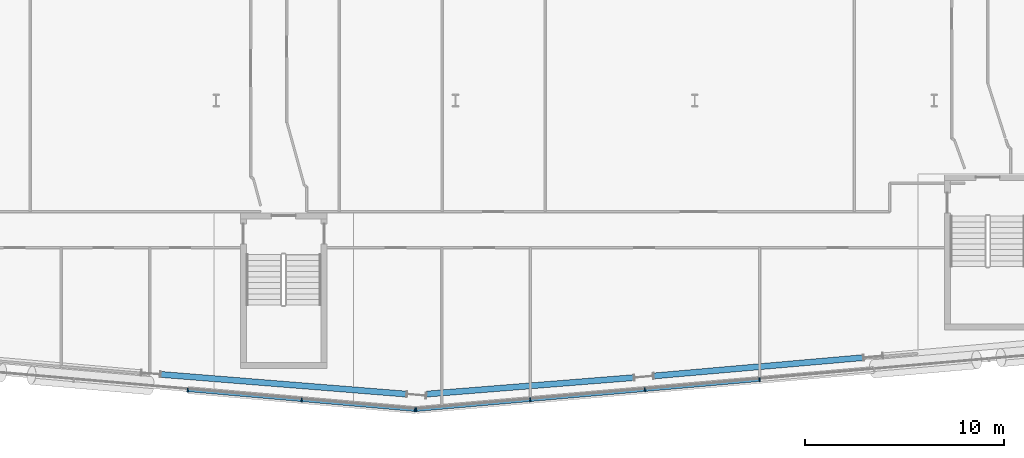
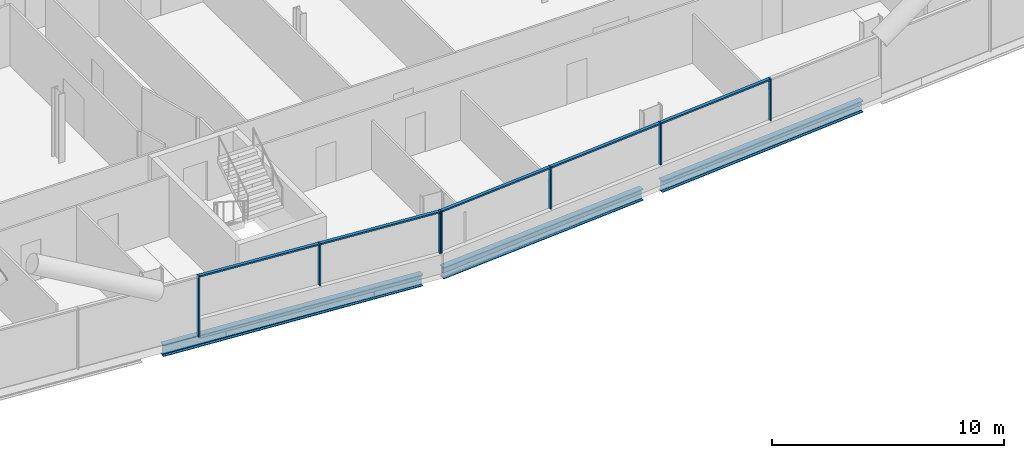
# One storey, part 6 of 28: 12 members, 3 beams, 2 elements without a shape of their own.
"""IFC4 building model written with IfcOpenShell, lengths in metres."""

import ifcopenshell
import ifcopenshell.guid

model = None  # the IFC model being written
_history = None  # IfcOwnerHistory: only IFC2X3 demands one
_inside = {}  # id of a spatial element -> (the spatial element, [elements in it])
_under = {}  # id of a project, library or spatial element -> (it, [spatial elements below it])
_declared = {}  # id of a project -> (the project, [libraries it declares])
_typed = {}  # id of a type object -> (the type object, [elements of that type])
_made_of = {}  # id of a material, layer set ... -> (it, [elements and type objects made of it])


def new_model(schema):
    """Start an empty IFC model of exactly this schema.

    Asked for "IFC4X3", IfcOpenShell would pick the latest addendum, in which some entities
    have other attributes; the version numbers below select the first issue.
    IFC2X3 requires an IfcOwnerHistory on every rooted entity: one is made here for all.
    """
    global model, _history
    if schema == "IFC4X3":
        model = ifcopenshell.file(schema_version=(4, 3, 0, 0))
    else:
        model = ifcopenshell.file(schema=schema)
    _inside.clear()
    _under.clear()
    _declared.clear()
    _typed.clear()
    _made_of.clear()
    _history = None
    if model.schema == "IFC2X3":
        org = make("IfcOrganization", Name="unknown")
        user = make(
            "IfcPersonAndOrganization",
            ThePerson=make("IfcPerson", FamilyName="unknown"),
            TheOrganization=org,
        )
        app = make(
            "IfcApplication",
            ApplicationDeveloper=org,
            Version="unknown",
            ApplicationFullName="unknown",
            ApplicationIdentifier="unknown",
        )
        _history = make(
            "IfcOwnerHistory",
            OwningUser=user,
            OwningApplication=app,
            ChangeAction="ADDED",
            CreationDate=0,
        )
    return model


def make(cls, **values):
    """One entity of the class cls with the attributes given. An attribute that is None is left unset."""
    return model.create_entity(
        cls, **{name: value for name, value in values.items() if value is not None}
    )


def rooted(cls, **values):
    """An entity with a GlobalId (a new one), such as an element, a storey or a relation."""
    return make(cls, GlobalId=ifcopenshell.guid.new(), OwnerHistory=_history, **values)


def si_unit(unit_type, name, prefix=None):
    """IfcSIUnit, for example si_unit("LENGTHUNIT", "METRE", prefix="MILLI")."""
    return make("IfcSIUnit", UnitType=unit_type, Prefix=prefix, Name=name)


def assignment(units):
    """IfcUnitAssignment: the units of a project."""
    return None if units is None else make("IfcUnitAssignment", Units=units)


def point(xyz):
    """IfcCartesianPoint."""
    return None if xyz is None else make("IfcCartesianPoint", Coordinates=xyz)


def direction(xyz):
    """IfcDirection."""
    return None if xyz is None else make("IfcDirection", DirectionRatios=xyz)


def frame(location, z_axis=None, x_axis=None):
    """IfcAxis2Placement3D, a coordinate frame: its origin and axes. An axis left out is left unset."""
    return make(
        "IfcAxis2Placement3D",
        Location=point(location),
        Axis=direction(z_axis),
        RefDirection=direction(x_axis),
    )


def frame_2d(location, x_axis=None):
    """IfcAxis2Placement2D, a coordinate frame in the plane: its origin and x axis."""
    return make(
        "IfcAxis2Placement2D", Location=point(location), RefDirection=direction(x_axis)
    )


def origin():
    """The frame at (0, 0, 0) with its axes left unset."""
    return frame((0.0, 0.0, 0.0))


def origin_2d():
    """The frame at (0, 0) in the plane with its x axis left unset."""
    return frame_2d((0.0, 0.0))


def place(relative_to, where):
    """IfcLocalPlacement: puts the frame where relative to a parent placement (None: the world)."""
    return make(
        "IfcLocalPlacement", PlacementRelTo=relative_to, RelativePlacement=where
    )


def context(
    kind, dimensions, precision=None, world=None, true_north=None, identifier=None
):
    """IfcGeometricRepresentationContext, for example the 3D "Model" context."""
    return make(
        "IfcGeometricRepresentationContext",
        ContextIdentifier=identifier,
        ContextType=kind,
        CoordinateSpaceDimension=dimensions,
        Precision=precision,
        WorldCoordinateSystem=world,
        TrueNorth=true_north,
    )


def subcontext(parent, identifier, kind, view, scale=None):
    """IfcGeometricRepresentationSubContext, for example "Body" below "Model"."""
    return make(
        "IfcGeometricRepresentationSubContext",
        ContextIdentifier=identifier,
        ContextType=kind,
        ParentContext=parent,
        TargetScale=scale,
        TargetView=view,
    )


def project(units=None, contexts=None):
    """IfcProject with its units and contexts."""
    return rooted(
        "IfcProject",
        Name="project",
        RepresentationContexts=contexts,
        UnitsInContext=assignment(units),
    )


def spatial(cls, under=None, at=None, **own):
    """A site, building, storey or space (cls), placed at a placement, below another one or the project."""
    s = rooted(cls, ObjectPlacement=at, **own)
    if under is not None:
        _under.setdefault(under.id(), (under, []))[1].append(s)
    return s


def profile(cls, at=None, kind="AREA", **sizes):
    """A parametric profile (cls). Its sizes go by their IFC names, for example OverallWidth=200.0."""
    return make(cls, ProfileType=kind, Position=at, **sizes)


def rectangle(**sizes):
    """IfcRectangleProfileDef."""
    return profile("IfcRectangleProfileDef", **sizes)


def i_section(**sizes):
    """IfcIShapeProfileDef."""
    return profile("IfcIShapeProfileDef", **sizes)


def extrude(swept, where, along, depth):
    """IfcExtrudedAreaSolid: the profile swept, set in the frame where, extruded along a direction by depth."""
    return make(
        "IfcExtrudedAreaSolid",
        SweptArea=swept,
        Position=where,
        ExtrudedDirection=direction(along),
        Depth=depth,
    )


def shape(context_of_items, identifier, shape_type, items):
    """IfcShapeRepresentation: the items that make up one representation, for example the "Body"."""
    return make(
        "IfcShapeRepresentation",
        ContextOfItems=context_of_items,
        RepresentationIdentifier=identifier,
        RepresentationType=shape_type,
        Items=items,
    )


def material(Name=None, Category=None):
    """IfcMaterial."""
    return make("IfcMaterial", Name=Name, Category=Category)


def material_profile(
    of_material, cross_section, Name=None, Category=None, Priority=None
):
    """IfcMaterialProfile: a cross section and its material."""
    return make(
        "IfcMaterialProfile",
        Name=Name,
        Material=of_material,
        Profile=cross_section,
        Priority=Priority,
        Category=Category,
    )


def profile_set(profiles, Name=None, composite=None):
    """IfcMaterialProfileSet."""
    return make(
        "IfcMaterialProfileSet",
        Name=Name,
        MaterialProfiles=profiles,
        CompositeProfile=composite,
    )


def made_of(thing, what):
    """Note that an element or type object is made of a material, layer set ...; save() writes the relation."""
    if what is not None:
        _made_of.setdefault(what.id(), (what, []))[1].append(thing)
    return thing


def type_object(cls, material=None, **own):
    """A type object (cls), such as IfcWallType, which elements share."""
    return made_of(rooted(cls, **own), material)


def element(
    cls,
    number,
    at=None,
    inside=None,
    cuts=None,
    type_object=None,
    material=None,
    context=None,
    identifier="Body",
    shape_type=None,
    held_by="IfcProductDefinitionShape",
    body=None,
    shapes=None,
    **own,
):
    """One element of the class cls, such as IfcWall. Its Tag is "e" and its number.

    at: its placement. inside: the storey or other place that contains it. cuts: it is an
    opening in that element (IfcRelVoidsElement). A single representation is given by context,
    identifier, shape_type and body (its items); several are given by shapes. held_by: the class
    of the entity that holds the representations. save() writes the other relations.
    """
    e = rooted(cls, Tag="e%d" % number, ObjectPlacement=at, **own)
    if body is not None:
        shapes = [shape(context, identifier, shape_type, body)]
    if shapes is not None:
        e.Representation = make(held_by, Representations=shapes)
    if inside is not None:
        _inside.setdefault(inside.id(), (inside, []))[1].append(e)
    if cuts is not None:
        rooted(
            "IfcRelVoidsElement", RelatingBuildingElement=cuts, RelatedOpeningElement=e
        )
    if type_object is not None:
        _typed.setdefault(type_object.id(), (type_object, []))[1].append(e)
    return made_of(e, material)


def aggregate(whole, parts):
    """IfcRelAggregates: a whole, such as a stair, and the parts it consists of."""
    return rooted("IfcRelAggregates", RelatingObject=whole, RelatedObjects=parts)


def save(model, path):
    """Write the relations noted so far, then the file.

    IfcRelAggregates (storeys below a building ...), IfcRelContainedInSpatialStructure (elements
    in a storey), IfcRelDefinesByType, IfcRelAssociatesMaterial and IfcRelDeclares: one each for
    every whole, place, type object, material and project.
    """
    for whole, parts in _under.values():
        aggregate(whole, parts)
    for where, things in _inside.values():
        rooted(
            "IfcRelContainedInSpatialStructure",
            RelatedElements=things,
            RelatingStructure=where,
        )
    for kind, things in _typed.values():
        rooted("IfcRelDefinesByType", RelatedObjects=things, RelatingType=kind)
    for what, things in _made_of.values():
        rooted("IfcRelAssociatesMaterial", RelatedObjects=things, RelatingMaterial=what)
    for by, libraries in _declared.values():
        rooted("IfcRelDeclares", RelatingContext=by, RelatedDefinitions=libraries)
    model.write(path)


model = new_model("IFC4")

# Units and contexts
model_context = context("Model", 3, precision=1e-05, world=origin(), true_north=direction((0.0, 1.0)))
body_context = subcontext(model_context, "Body", "Model", "MODEL_VIEW")
ifc_project = project(units=[si_unit("LENGTHUNIT", "METRE"), si_unit("AREAUNIT", "SQUARE_METRE"), si_unit("VOLUMEUNIT", "CUBIC_METRE"), si_unit("PLANEANGLEUNIT", "RADIAN"), si_unit("MASSUNIT", "GRAM", prefix="KILO")], contexts=[model_context])

# Site, building, storey
site_placement = place(None, origin())
site = spatial("IfcSite", under=ifc_project, at=site_placement, CompositionType="ELEMENT")
building_placement = place(site_placement, origin())
building = spatial("IfcBuilding", under=site, at=building_placement, Name="Wharfspan Tower", CompositionType="ELEMENT")
storey_placement = place(building_placement, frame((0.0, 0.0, 59.5)))
storey = spatial("IfcBuildingStorey", under=building, at=storey_placement, Name="L11", CompositionType="ELEMENT", Elevation=59.5)

# Beams
ifc_material_1 = material(Name="Steel S355J2", Category="steel")
ifc_material_profile_1 = material_profile(ifc_material_1, i_section(OverallWidth=0.300049, OverallDepth=0.600098, WebThickness=0.015381, FlangeThickness=0.030029, FilletRadius=0.0271, at=origin_2d()))
ifc_profile_set_1 = profile_set([ifc_material_profile_1], Name="Steel S355J2")
beam_type = type_object("IfcBeamType", Name="Edge beam HEB 600", PredefinedType="SPANDREL", material=ifc_profile_set_1)
beam_1_placement = place(storey_placement, frame((33.222656, -2.240479, -0.699951), z_axis=(0.996802, -0.079913, 0.0), x_axis=(0.079913, 0.996802, 0.0)))
element("IfcBeam", 1, at=beam_1_placement, inside=storey, type_object=beam_type, Name="Edge beam S1 L11 PS1.3 to PS1.4", PredefinedType="SPANDREL", context=body_context, shape_type="SweptSolid", body=[
    extrude(i_section(OverallWidth=0.300049, OverallDepth=0.600098, WebThickness=0.015381, FlangeThickness=0.030029, FilletRadius=0.0271, at=origin_2d()), origin(), (0.0, 0.0, 1.0), 12.36084),
])
beam_2_placement = place(storey_placement, frame((46.547852, -3.228027, -0.699951), z_axis=(0.996848, 0.079335, 0.0), x_axis=(-0.079335, 0.996848, 0.0)))
element("IfcBeam", 2, at=beam_2_placement, inside=storey, type_object=beam_type, Name="Edge beam S2 L11 PS1.4 to PS2.1", PredefinedType="SPANDREL", context=body_context, shape_type="SweptSolid", body=[
    extrude(i_section(OverallWidth=0.300049, OverallDepth=0.600098, WebThickness=0.015381, FlangeThickness=0.030029, FilletRadius=0.0271, at=origin_2d()), origin(), (0.0, 0.0, 1.0), 10.429199),
])
beam_3_placement = place(storey_placement, frame((57.940674, -2.317383, -0.699951), z_axis=(0.996195, 0.087155, 0.0), x_axis=(-0.087155, 0.996195, 0.0)))
element("IfcBeam", 3, at=beam_3_placement, inside=storey, type_object=beam_type, Name="Edge beam S2 L11 PS2.1 to PS2.2", PredefinedType="SPANDREL", context=body_context, shape_type="SweptSolid", body=[
    extrude(i_section(OverallWidth=0.300049, OverallDepth=0.600098, WebThickness=0.015381, FlangeThickness=0.030029, FilletRadius=0.0271, at=origin_2d()), origin(), (0.0, 0.0, 1.0), 10.543701),
])

# Curtain wall, members
ifc_material_2 = material(Name="Aluminium 6063-T6", Category="aluminium")
curtain_wall_type = type_object("IfcCurtainWallType", Name="CURTAIN WALL FACETED FRONT", PredefinedType="NOTDEFINED", material=ifc_material_2)
curtain_wall_1_placement = place(storey_placement, origin())
curtain_wall_1 = element("IfcCurtainWall", 4, at=curtain_wall_1_placement, inside=storey, type_object=curtain_wall_type, Name="Curtain wall S1", PredefinedType="NOTDEFINED")
ifc_material_profile_2 = material_profile(ifc_material_2, rectangle(XDim=0.199951, YDim=0.060059, at=origin_2d()))
ifc_profile_set_2 = profile_set([ifc_material_profile_2], Name="Aluminium 6063-T6")
member_type_1 = type_object("IfcMemberType", Name="MULLION FACETED FRONT 60x200", PredefinedType="MULLION", material=ifc_profile_set_2)
member_1_placement = place(storey_placement, frame((34.571533, -3.024658, 0.0), z_axis=(0.0, 0.0, 1.0), x_axis=(0.087156, 0.996197, 0.0)))
member_1 = element("IfcMember", 5, at=member_1_placement, type_object=member_type_1, Name="Curtain wall S1 mullion 6", PredefinedType="MULLION", context=body_context, shape_type="SweptSolid", body=[
    extrude(rectangle(XDim=0.199951, YDim=0.060059, at=origin_2d()), origin(), (0.0, 0.0, 1.0), 3.199951),
])
member_2_placement = place(storey_placement, frame((40.285645, -3.524658, 1.0), z_axis=(0.0, 0.0, 1.0), x_axis=(0.087156, 0.996197, 0.0)))
member_2 = element("IfcMember", 6, at=member_2_placement, type_object=member_type_1, Name="Curtain wall S1 mullion 7", PredefinedType="MULLION", context=body_context, shape_type="SweptSolid", body=[
    extrude(rectangle(XDim=0.199951, YDim=0.060059, at=origin_2d()), origin(), (0.0, 0.0, 1.0), 2.199951),
])
member_3_placement = place(storey_placement, frame((45.970215, -4.021973, 1.0), z_axis=(0.0, 0.0, 1.0), x_axis=(0.087156, 0.996197, 0.0)))
member_3 = element("IfcMember", 7, at=member_3_placement, type_object=member_type_1, Name="Curtain wall S1 mullion 8", PredefinedType="MULLION", context=body_context, shape_type="SweptSolid", body=[
    extrude(rectangle(XDim=0.199951, YDim=0.060059, at=origin_2d()), origin(), (0.0, 0.0, 1.0), 2.199951),
])

curtain_wall_2_placement = place(storey_placement, origin())
curtain_wall_2 = element("IfcCurtainWall", 8, at=curtain_wall_2_placement, inside=storey, type_object=curtain_wall_type, Name="Curtain wall S2", PredefinedType="NOTDEFINED")
member_4_placement = place(storey_placement, frame((46.029785, -4.021973, 1.0), z_axis=(0.0, 0.0, 1.0), x_axis=(-0.087156, 0.996197, 0.0)))
member_4 = element("IfcMember", 9, at=member_4_placement, type_object=member_type_1, Name="Curtain wall S2 mullion 1", PredefinedType="MULLION", context=body_context, shape_type="SweptSolid", body=[
    extrude(rectangle(XDim=0.199951, YDim=0.060059, at=origin_2d()), origin(), (0.0, 0.0, 1.0), 2.199951),
])
member_5_placement = place(storey_placement, frame((51.75, -3.521484, 1.0), z_axis=(0.0, 0.0, 1.0), x_axis=(-0.087156, 0.996197, 0.0)))
member_5 = element("IfcMember", 10, at=member_5_placement, type_object=member_type_1, Name="Curtain wall S2 mullion 2", PredefinedType="MULLION", context=body_context, shape_type="SweptSolid", body=[
    extrude(rectangle(XDim=0.199951, YDim=0.060059, at=origin_2d()), origin(), (0.0, 0.0, 1.0), 2.199951),
])
member_6_placement = place(storey_placement, frame((57.5, -3.018311, 1.0), z_axis=(0.0, 0.0, 1.0), x_axis=(-0.087156, 0.996197, 0.0)))
member_6 = element("IfcMember", 11, at=member_6_placement, type_object=member_type_1, Name="Curtain wall S2 mullion 3", PredefinedType="MULLION", context=body_context, shape_type="SweptSolid", body=[
    extrude(rectangle(XDim=0.199951, YDim=0.060059, at=origin_2d()), origin(), (0.0, 0.0, 1.0), 2.199951),
])
member_7_placement = place(storey_placement, frame((63.25, -2.515381, 1.0), z_axis=(0.0, 0.0, 1.0), x_axis=(-0.087156, 0.996197, 0.0)))
member_7 = element("IfcMember", 12, at=member_7_placement, type_object=member_type_1, Name="Curtain wall S2 mullion 4", PredefinedType="MULLION", context=body_context, shape_type="SweptSolid", body=[
    extrude(rectangle(XDim=0.199951, YDim=0.060059, at=origin_2d()), origin(), (0.0, 0.0, 1.0), 2.199951),
])

# Member
ifc_material_profile_3 = material_profile(ifc_material_2, rectangle(XDim=0.159912, YDim=0.080078, at=origin_2d()))
ifc_profile_set_3 = profile_set([ifc_material_profile_3], Name="Aluminium 6063-T6")
member_type_2 = type_object("IfcMemberType", Name="TRANSOM FACETED FRONT 80x160", PredefinedType="USERDEFINED", material=ifc_profile_set_3)
member_8_placement = place(storey_placement, frame((34.601318, -3.027344, 3.159912), z_axis=(0.996196, -0.087142, 0.0), x_axis=(0.087142, 0.996196, 0.0)))
member_8 = element("IfcMember", 13, at=member_8_placement, type_object=member_type_2, Name="Curtain wall S1 transom 6", ObjectType="TRANSOM", PredefinedType="USERDEFINED", context=body_context, shape_type="SweptSolid", body=[
    extrude(rectangle(XDim=0.159912, YDim=0.080078, at=origin_2d()), origin(), (0.0, 0.0, 1.0), 5.676025),
])

member_9_placement = place(storey_placement, frame((40.315674, -3.5271, 3.159912), z_axis=(0.996193, -0.087174, 0.0), x_axis=(0.087174, 0.996193, 0.0)))
member_9 = element("IfcMember", 14, at=member_9_placement, type_object=member_type_2, Name="Curtain wall S1 transom 7", ObjectType="TRANSOM", PredefinedType="USERDEFINED", context=body_context, shape_type="SweptSolid", body=[
    extrude(rectangle(XDim=0.159912, YDim=0.080078, at=origin_2d()), origin(), (0.0, 0.0, 1.0), 5.645996),
])

aggregate(curtain_wall_1, [member_1, member_2, member_3, member_8, member_9])

member_10_placement = place(storey_placement, frame((46.059814, -4.019287, 3.159912), z_axis=(0.996193, 0.08718, 0.0), x_axis=(-0.08718, 0.996193, 0.0)))
member_10 = element("IfcMember", 15, at=member_10_placement, type_object=member_type_2, Name="Curtain wall S2 transom 1", ObjectType="TRANSOM", PredefinedType="USERDEFINED", context=body_context, shape_type="SweptSolid", body=[
    extrude(rectangle(XDim=0.159912, YDim=0.080078, at=origin_2d()), origin(), (0.0, 0.0, 1.0), 5.682129),
])

member_11_placement = place(storey_placement, frame((51.779785, -3.518799, 3.159912), z_axis=(0.996195, 0.087148, 0.0), x_axis=(-0.087148, 0.996195, 0.0)))
member_11 = element("IfcMember", 16, at=member_11_placement, type_object=member_type_2, Name="Curtain wall S2 transom 2", ObjectType="TRANSOM", PredefinedType="USERDEFINED", context=body_context, shape_type="SweptSolid", body=[
    extrude(rectangle(XDim=0.159912, YDim=0.080078, at=origin_2d()), origin(), (0.0, 0.0, 1.0), 5.712158),
])

member_12_placement = place(storey_placement, frame((57.529785, -3.015625, 3.159912), z_axis=(0.996195, 0.087148, 0.0), x_axis=(-0.087148, 0.996195, 0.0)))
member_12 = element("IfcMember", 17, at=member_12_placement, type_object=member_type_2, Name="Curtain wall S2 transom 3", ObjectType="TRANSOM", PredefinedType="USERDEFINED", context=body_context, shape_type="SweptSolid", body=[
    extrude(rectangle(XDim=0.159912, YDim=0.080078, at=origin_2d()), origin(), (0.0, 0.0, 1.0), 5.712158),
])

aggregate(curtain_wall_2, [member_4, member_5, member_6, member_7, member_10, member_11, member_12])

save(model, "model.ifc")
